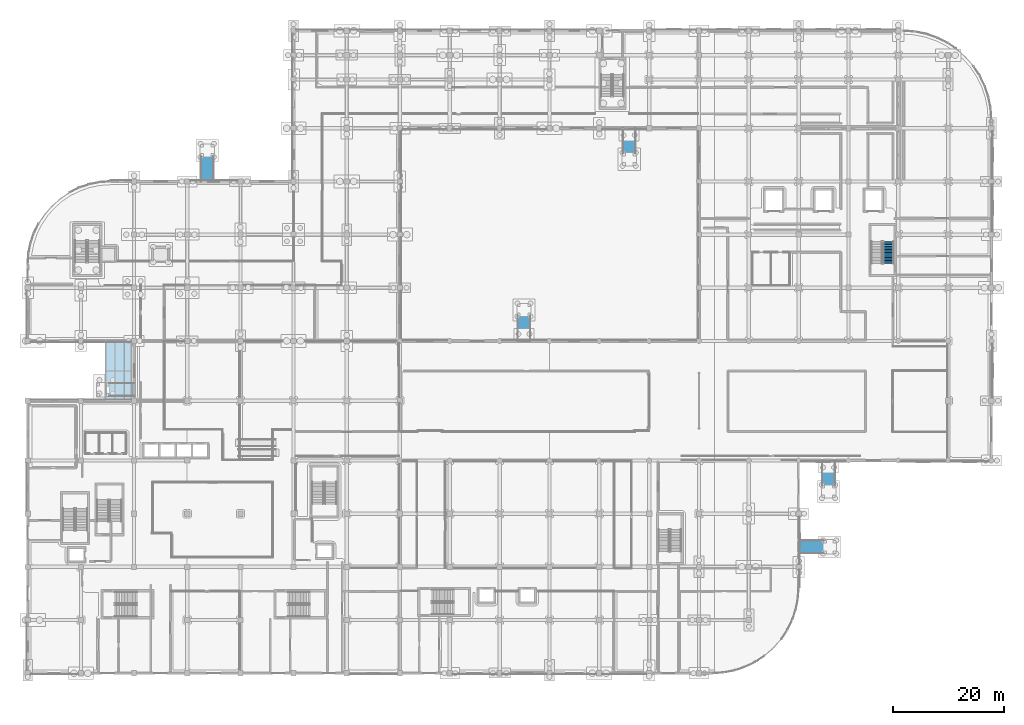
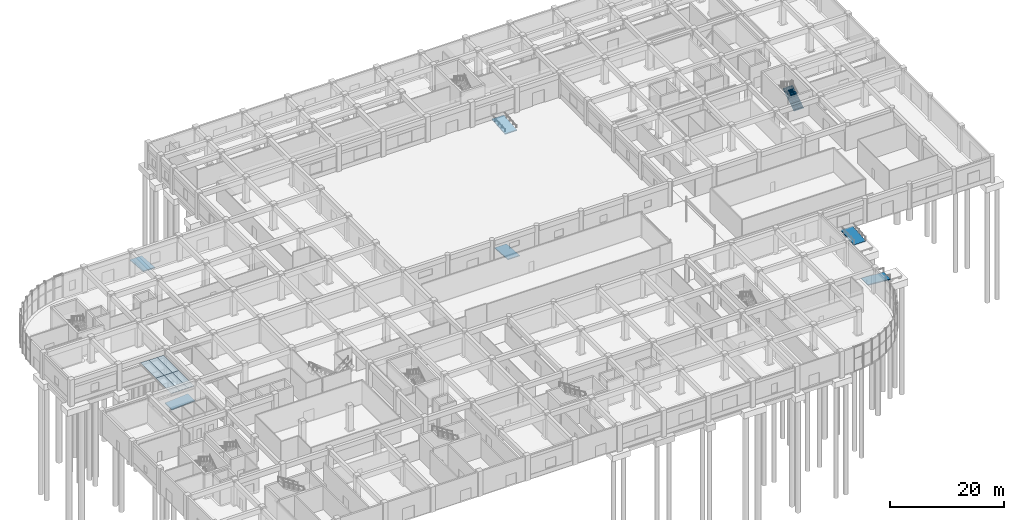
# One storey, part 42 of 74: 6 ramp flights, 6 roofs, 1 stair flight, 7 elements without a shape of their own.
"""IFC4 building model written with IfcOpenShell, lengths in metres."""

from ifc_helpers import new_model, si_unit, direction, frame, origin, place, context, subcontext, project, spatial, polyline, outline, extrude, material, layer, layer_set, type_object, element, aggregate, save


model = new_model("IFC4")

# Units and contexts
model_context = context("Model", 3, precision=1e-05, world=origin(), true_north=direction((0.0, 1.0)))
body_context = subcontext(model_context, "Body", "Model", "MODEL_VIEW")
ifc_project = project(units=[si_unit("LENGTHUNIT", "METRE"), si_unit("AREAUNIT", "SQUARE_METRE"), si_unit("VOLUMEUNIT", "CUBIC_METRE"), si_unit("PLANEANGLEUNIT", "RADIAN"), si_unit("MASSUNIT", "GRAM", prefix="KILO")], contexts=[model_context])

# Site, building, storey
site_placement = place(None, origin())
site = spatial("IfcSite", under=ifc_project, at=site_placement, CompositionType="ELEMENT")
building_placement = place(site_placement, origin())
building = spatial("IfcBuilding", under=site, at=building_placement, Name="Cendralis Terraced Arcade", CompositionType="ELEMENT")
storey_placement = place(building_placement, origin())
storey = spatial("IfcBuildingStorey", under=building, at=storey_placement, Name="L00", CompositionType="ELEMENT", Elevation=0.0)

# Stair, stair flight
ifc_material_1 = material(Name="Concrete f'c 35 MPa", Category="concrete")
stair_type = type_object("IfcStairType", Name="STR-W195-H480", PredefinedType="HALF_TURN_STAIR", material=ifc_material_1)
stair_placement = place(storey_placement, origin())
stair = element("IfcStair", 1, at=stair_placement, inside=storey, type_object=stair_type, Name="L00 Protected Exit Stair ST-06", PredefinedType="HALF_TURN_STAIR")
ifc_layer_1 = layer(ifc_material_1, 0.159912109375, Name="FLT-W195-H480")
ifc_layer_set_1 = layer_set([ifc_layer_1], Name="Concrete f'c 35 MPa")
stair_flight_type = type_object("IfcStairFlightType", Name="FLT-W195-H480", PredefinedType="STRAIGHT", material=ifc_layer_set_1)
stair_flight_placement = place(storey_placement, frame((155.425048828125, 73.949951171875, 0.0), z_axis=(0.0, 0.0, 1.0), x_axis=(0.0, 1.0, 0.0)))
stair_flight = element("IfcStairFlight", 2, at=stair_flight_placement, type_object=stair_flight_type, Name="ST-06 flight 1", NumberOfRisers=15, NumberOfTreads=14, PredefinedType="STRAIGHT", RiserHeight=0.18, TreadLength=0.285, context=body_context, shape_type="SweptSolid", body=[
    extrude(outline(polyline([(0.0, 0.0), (0.0, 0.179931640625), (0.284912109375, 0.179931640625), (0.284912109375, 0.360107421875), (0.570068359375, 0.360107421875), (0.570068359375, 0.5400390625), (0.85498046875, 0.5400390625), (0.85498046875, 0.719970703125), (1.139892578125, 0.719970703125), (1.139892578125, 0.89990234375), (1.425048828125, 0.89990234375), (1.425048828125, 1.080078125), (1.7099609375, 1.080078125), (1.7099609375, 1.260009765625), (1.9951171875, 1.260009765625), (1.9951171875, 1.43994140625), (2.280029296875, 1.43994140625), (2.280029296875, 1.6201171875), (2.56494140625, 1.6201171875), (2.56494140625, 1.800048828125), (2.85009765625, 1.800048828125), (2.85009765625, 1.97998046875), (3.135009765625, 1.97998046875), (3.135009765625, 2.159912109375), (3.419921875, 2.159912109375), (3.419921875, 2.340087890625), (3.705078125, 2.340087890625), (3.705078125, 2.52001953125), (3.989990234375, 2.52001953125), (3.989990234375, 2.699951171875), (3.989990234375, 2.3427734375), (0.28076171875, 0.0), (0.0, 0.0)])), frame((0.0, 0.97509765625, 0.0), z_axis=(0.0, -1.0, 0.0), x_axis=(1.0, 0.0, 0.0)), (0.0, 0.0, 1.0), 1.949951171875),
])
aggregate(stair, [stair_flight])

# Ramp, ramp flight
ramp_type = type_object("IfcRampType", Name="RMP-PED-2400", PredefinedType="STRAIGHT_RUN_RAMP", material=ifc_material_1)
ramp_1_placement = place(storey_placement, origin())
ramp_1 = element("IfcRamp", 3, at=ramp_1_placement, inside=storey, type_object=ramp_type, Name="Accessible Pedestrian Entrance Ramp RMP-01", PredefinedType="STRAIGHT_RUN_RAMP")
ifc_layer_2 = layer(ifc_material_1, 0.199951171875, Name="RMP-FLT-2400")
ifc_layer_set_2 = layer_set([ifc_layer_2], Name="Concrete f'c 35 MPa")
ramp_flight_type = type_object("IfcRampFlightType", Name="RMP-FLT-2400", PredefinedType="STRAIGHT", material=ifc_layer_set_2)
ramp_flight_1_placement = place(storey_placement, frame((14.6201171875, 51.199951171875, -0.360107421875), z_axis=(0.0, 0.0, 1.0), x_axis=(1.0, 0.0, 0.0)))
ramp_flight_1 = element("IfcRampFlight", 4, at=ramp_flight_1_placement, type_object=ramp_flight_type, Name="Accessible Pedestrian Entrance Ramp RMP-01 flight 1", PredefinedType="STRAIGHT", context=body_context, shape_type="SweptSolid", body=[
    extrude(outline(polyline([(0.0, -0.199951171875), (4.659912109375, 0.16015625), (4.659912109375, 0.360107421875), (0.0, 0.0), (0.0, -0.199951171875)])), frame((0.0, 1.199951171875, 0.0), z_axis=(0.0, -1.0, 0.0), x_axis=(1.0, 0.0, 0.0)), (0.0, 0.0, 1.0), 2.39990234375),
])
aggregate(ramp_1, [ramp_flight_1])

ramp_2_placement = place(storey_placement, origin())
ramp_2 = element("IfcRamp", 5, at=ramp_2_placement, inside=storey, type_object=ramp_type, Name="Accessible Pedestrian Plaza Ramp RMP-02", PredefinedType="STRAIGHT_RUN_RAMP")
ramp_flight_2_placement = place(storey_placement, frame((143.780029296875, 22.800048828125, -0.360107421875), z_axis=(0.0, 0.0, 1.0), x_axis=(-1.0, 0.0, 0.0)))
ramp_flight_2 = element("IfcRampFlight", 6, at=ramp_flight_2_placement, type_object=ramp_flight_type, Name="Accessible Pedestrian Plaza Ramp RMP-02 flight 1", PredefinedType="STRAIGHT", context=body_context, shape_type="SweptSolid", body=[
    extrude(outline(polyline([(0.0, -0.199951171875), (4.659912109375, 0.16015625), (4.659912109375, 0.360107421875), (0.0, 0.0), (0.0, -0.199951171875)])), frame((0.0, 1.199951171875, 0.0), z_axis=(0.0, -1.0, 0.0), x_axis=(1.0, 0.0, 0.0)), (0.0, 0.0, 1.0), 2.39990234375),
])
aggregate(ramp_2, [ramp_flight_2])

ramp_3_placement = place(storey_placement, origin())
ramp_3 = element("IfcRamp", 7, at=ramp_3_placement, inside=storey, type_object=ramp_type, Name="Accessible Pedestrian South Arcade Ramp RMP-03", PredefinedType="STRAIGHT_RUN_RAMP")
ramp_flight_3_placement = place(storey_placement, frame((144.60009765625, 33.820068359375, -0.360107421875), z_axis=(0.0, 0.0, 1.0), x_axis=(0.0, 1.0, 0.0)))
ramp_flight_3 = element("IfcRampFlight", 8, at=ramp_flight_3_placement, type_object=ramp_flight_type, Name="Accessible Pedestrian South Arcade Ramp RMP-03 flight 1", PredefinedType="STRAIGHT", context=body_context, shape_type="SweptSolid", body=[
    extrude(outline(polyline([(0.0, -0.199951171875), (4.659912109375, 0.16015625), (4.659912109375, 0.360107421875), (0.0, 0.0), (0.0, -0.199951171875)])), frame((0.0, 1.199951171875, 0.0), z_axis=(0.0, -1.0, 0.0), x_axis=(1.0, 0.0, 0.0)), (0.0, 0.0, 1.0), 2.39990234375),
])
aggregate(ramp_3, [ramp_flight_3])

ramp_4_placement = place(storey_placement, origin())
ramp_4 = element("IfcRamp", 9, at=ramp_4_placement, inside=storey, type_object=ramp_type, Name="Accessible Pedestrian Central Court South Ramp RMP-04", PredefinedType="STRAIGHT_RUN_RAMP")
ramp_flight_4_placement = place(storey_placement, frame((89.60009765625, 64.580078125, -0.360107421875), z_axis=(0.0, 0.0, 1.0), x_axis=(0.0, -1.0, 0.0)))
ramp_flight_4 = element("IfcRampFlight", 10, at=ramp_flight_4_placement, type_object=ramp_flight_type, Name="Accessible Pedestrian Central Court South Ramp RMP-04 flight 1", PredefinedType="STRAIGHT", context=body_context, shape_type="SweptSolid", body=[
    extrude(outline(polyline([(0.0, -0.199951171875), (4.659912109375, 0.16015625), (4.659912109375, 0.360107421875), (0.0, 0.0), (0.0, -0.199951171875)])), frame((0.0, 1.199951171875, 0.0), z_axis=(0.0, -1.0, 0.0), x_axis=(1.0, 0.0, 0.0)), (0.0, 0.0, 1.0), 2.39990234375),
])
aggregate(ramp_4, [ramp_flight_4])

ramp_5_placement = place(storey_placement, origin())
ramp_5 = element("IfcRamp", 11, at=ramp_5_placement, inside=storey, type_object=ramp_type, Name="Accessible Pedestrian Central Court North Ramp RMP-05", PredefinedType="STRAIGHT_RUN_RAMP")
ramp_flight_5_placement = place(storey_placement, frame((108.60009765625, 93.820068359375, -0.360107421875), z_axis=(0.0, 0.0, 1.0), x_axis=(0.0, 1.0, 0.0)))
ramp_flight_5 = element("IfcRampFlight", 12, at=ramp_flight_5_placement, type_object=ramp_flight_type, Name="Accessible Pedestrian Central Court North Ramp RMP-05 flight 1", PredefinedType="STRAIGHT", context=body_context, shape_type="SweptSolid", body=[
    extrude(outline(polyline([(0.0, -0.199951171875), (4.659912109375, 0.16015625), (4.659912109375, 0.360107421875), (0.0, 0.0), (0.0, -0.199951171875)])), frame((0.0, 1.199951171875, 0.0), z_axis=(0.0, -1.0, 0.0), x_axis=(1.0, 0.0, 0.0)), (0.0, 0.0, 1.0), 2.39990234375),
])
aggregate(ramp_5, [ramp_flight_5])

ramp_6_placement = place(storey_placement, origin())
ramp_6 = element("IfcRamp", 13, at=ramp_6_placement, inside=storey, type_object=ramp_type, Name="Accessible Pedestrian Forecourt Ramp RMP-06", PredefinedType="STRAIGHT_RUN_RAMP")
ramp_flight_6_placement = place(storey_placement, frame((32.39990234375, 93.3798828125, -0.360107421875), z_axis=(0.0, 0.0, 1.0), x_axis=(0.0, -1.0, 0.0)))
ramp_flight_6 = element("IfcRampFlight", 14, at=ramp_flight_6_placement, type_object=ramp_flight_type, Name="Accessible Pedestrian Forecourt Ramp RMP-06 flight 1", PredefinedType="STRAIGHT", context=body_context, shape_type="SweptSolid", body=[
    extrude(outline(polyline([(0.0, -0.199951171875), (4.659912109375, 0.16015625), (4.659912109375, 0.360107421875), (0.0, 0.0), (0.0, -0.199951171875)])), frame((0.0, 1.199951171875, 0.0), z_axis=(0.0, -1.0, 0.0), x_axis=(1.0, 0.0, 0.0)), (0.0, 0.0, 1.0), 2.39990234375),
])
aggregate(ramp_6, [ramp_flight_6])

# Roofs
ifc_material_2 = material(Name="Tempered solar control laminated glass", Category="glass")
ifc_layer_3 = layer(ifc_material_2, 0.035888671875, Name="ROOF-CANOPY-GLZ")
ifc_layer_set_3 = layer_set([ifc_layer_3], Name="Tempered solar control laminated glass")
roof_type = type_object("IfcRoofType", Name="ROOF-CANOPY-GLZ", PredefinedType="FLAT_ROOF", material=ifc_layer_set_3)
roof_1_placement = place(storey_placement, frame((0.0, 0.0, 3.75)))
element("IfcRoof", 15, at=roof_1_placement, inside=storey, type_object=roof_type, Name="Parametric Corner Entrance Canopy Glazed Panel 1-1", PredefinedType="FLAT_ROOF", context=body_context, shape_type="SweptSolid", body=[
    extrude(outline(polyline([(14.080078125, 49.199951171875), (15.75, 49.199951171875), (15.75, 54.60009765625), (14.080078125, 54.60009765625), (14.080078125, 49.199951171875)])), origin(), (0.0, 0.0, 1.0), 0.044921875),
])
roof_2_placement = place(storey_placement, frame((0.0, 0.0, 3.75)))
element("IfcRoof", 16, at=roof_2_placement, inside=storey, type_object=roof_type, Name="Parametric Corner Entrance Canopy Glazed Panel 1-2", PredefinedType="FLAT_ROOF", context=body_context, shape_type="SweptSolid", body=[
    extrude(outline(polyline([(14.080078125, 54.60009765625), (15.75, 54.60009765625), (15.75, 60.0), (14.080078125, 60.0), (14.080078125, 54.60009765625)])), origin(), (0.0, 0.0, 1.0), 0.044921875),
])
roof_3_placement = place(storey_placement, frame((0.0, 0.0, 3.75)))
element("IfcRoof", 17, at=roof_3_placement, inside=storey, type_object=roof_type, Name="Parametric Corner Entrance Canopy Glazed Panel 2-1", PredefinedType="FLAT_ROOF", context=body_context, shape_type="SweptSolid", body=[
    extrude(outline(polyline([(15.75, 49.199951171875), (17.419921875, 49.199951171875), (17.419921875, 54.60009765625), (15.75, 54.60009765625), (15.75, 49.199951171875)])), origin(), (0.0, 0.0, 1.0), 0.044921875),
])
roof_4_placement = place(storey_placement, frame((0.0, 0.0, 3.75)))
element("IfcRoof", 18, at=roof_4_placement, inside=storey, type_object=roof_type, Name="Parametric Corner Entrance Canopy Glazed Panel 2-2", PredefinedType="FLAT_ROOF", context=body_context, shape_type="SweptSolid", body=[
    extrude(outline(polyline([(15.75, 54.60009765625), (17.419921875, 54.60009765625), (17.419921875, 60.0), (15.75, 60.0), (15.75, 54.60009765625)])), origin(), (0.0, 0.0, 1.0), 0.044921875),
])
roof_5_placement = place(storey_placement, frame((0.0, 0.0, 3.75)))
element("IfcRoof", 19, at=roof_5_placement, inside=storey, type_object=roof_type, Name="Parametric Corner Entrance Canopy Glazed Panel 3-1", PredefinedType="FLAT_ROOF", context=body_context, shape_type="SweptSolid", body=[
    extrude(outline(polyline([(17.419921875, 49.199951171875), (18.719970703125, 49.199951171875), (18.719970703125, 54.60009765625), (17.419921875, 54.60009765625), (17.419921875, 49.199951171875)])), origin(), (0.0, 0.0, 1.0), 0.044921875),
])
roof_6_placement = place(storey_placement, frame((0.0, 0.0, 3.75)))
element("IfcRoof", 20, at=roof_6_placement, inside=storey, type_object=roof_type, Name="Parametric Corner Entrance Canopy Glazed Panel 3-2", PredefinedType="FLAT_ROOF", context=body_context, shape_type="SweptSolid", body=[
    extrude(outline(polyline([(17.419921875, 54.60009765625), (18.719970703125, 54.60009765625), (18.719970703125, 60.0), (17.419921875, 60.0), (17.419921875, 54.60009765625)])), origin(), (0.0, 0.0, 1.0), 0.044921875),
])

save(model, "model.ifc")
